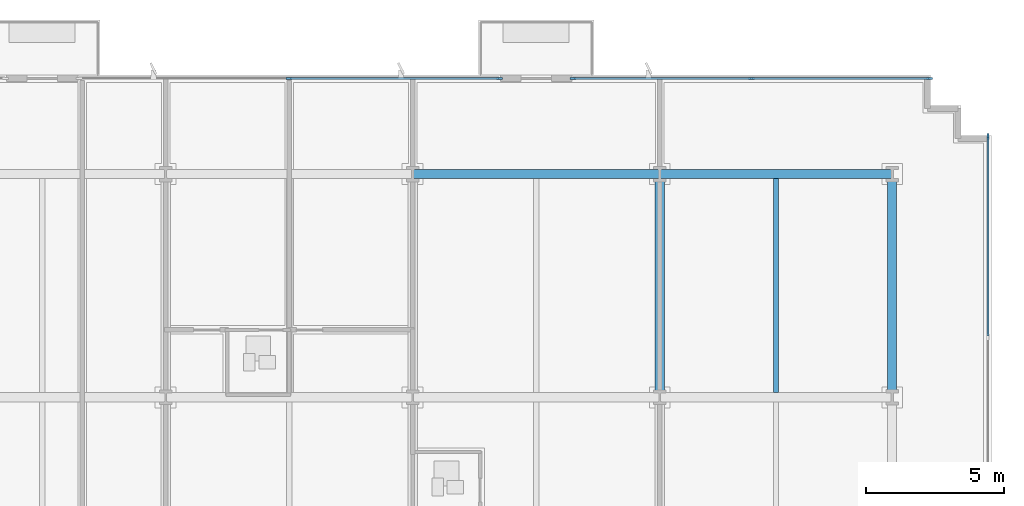
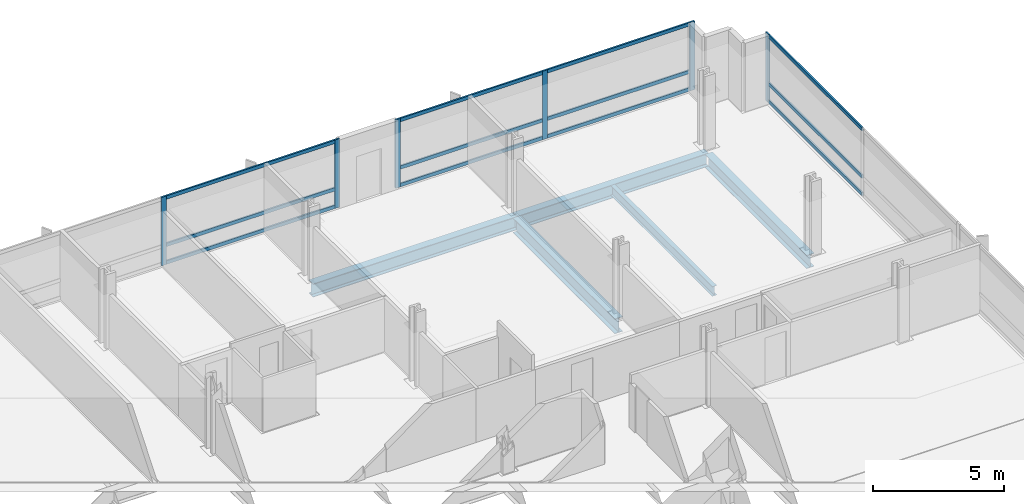
# One storey, part 6 of 15: 18 members, 5 beams, 3 elements without a shape of their own.
"""IFC4 building model written with IfcOpenShell, lengths in metres."""

from ifc_helpers import new_model, si_unit, direction, frame, origin, origin_2d, place, context, subcontext, project, spatial, rectangle, i_section, extrude, material, material_profile, profile_set, type_object, element, aggregate, save


model = new_model("IFC4")

# Units and contexts
model_context = context("Model", 3, precision=1e-05, world=origin(), true_north=direction((0.0, 1.0)))
body_context = subcontext(model_context, "Body", "Model", "MODEL_VIEW")
ifc_project = project(units=[si_unit("LENGTHUNIT", "METRE"), si_unit("AREAUNIT", "SQUARE_METRE"), si_unit("VOLUMEUNIT", "CUBIC_METRE"), si_unit("PLANEANGLEUNIT", "RADIAN"), si_unit("MASSUNIT", "GRAM", prefix="KILO")], contexts=[model_context])

# Site, building, storey
site_placement = place(None, origin())
site = spatial("IfcSite", under=ifc_project, at=site_placement, CompositionType="ELEMENT")
building_placement = place(site_placement, origin())
building = spatial("IfcBuilding", under=site, at=building_placement, Name="Solmavex Isthmus Hotel", CompositionType="ELEMENT")
storey_placement = place(building_placement, frame((0.0, 0.0, 33.300048828125)))
storey = spatial("IfcBuildingStorey", under=building, at=storey_placement, Name="L08", CompositionType="ELEMENT", Elevation=33.300048828125)

# Beams
ifc_material_1 = material(Name="Steel ASTM A992 Grade 50", Category="steel")
ifc_material_profile_1 = material_profile(ifc_material_1, i_section(OverallWidth=0.354736328125, OverallDepth=0.695556640625, WebThickness=0.015380859375, FlangeThickness=0.02490234375, FilletRadius=0.017822265625, at=origin_2d()), Name="W27X146")
ifc_profile_set_1 = profile_set([ifc_material_profile_1], Name="Steel ASTM A992 Grade 50")
beam_type_1 = type_object("IfcBeamType", Name="BM-BG-W27X146", PredefinedType="BEAM", material=ifc_profile_set_1)
beam_1_placement = place(storey_placement, frame((17.951904296875, 8.96533203125, -0.60791015625), z_axis=(0.0, 1.0, 0.0), x_axis=(-1.0, 0.0, 0.0)))
element("IfcBeam", 1, at=beam_1_placement, inside=storey, type_object=beam_type_1, Name="Floor Beam L08-VG45", PredefinedType="BEAM", context=body_context, shape_type="SweptSolid", body=[
    extrude(i_section(OverallWidth=0.354736328125, OverallDepth=0.695556640625, WebThickness=0.015380859375, FlangeThickness=0.02490234375, FilletRadius=0.017822265625, at=origin_2d()), origin(), (0.0, 0.0, 1.0), 7.771484375),
])
ifc_material_profile_2 = material_profile(ifc_material_1, i_section(OverallWidth=0.1904296875, OverallDepth=0.456787109375, WebThickness=0.009033203125, FlangeThickness=0.014404296875, FilletRadius=0.0126953125, at=origin_2d()), Name="W18X50")
ifc_profile_set_2 = profile_set([ifc_material_profile_2], Name="Steel ASTM A992 Grade 50")
beam_type_2 = type_object("IfcBeamType", Name="BM-BJ-W18X50", PredefinedType="JOIST", material=ifc_profile_set_2)
beam_2_placement = place(storey_placement, frame((22.176025390625, 8.96533203125, -0.488525390625), z_axis=(0.0, 1.0, 0.0), x_axis=(-1.0, 0.0, 0.0)))
element("IfcBeam", 2, at=beam_2_placement, inside=storey, type_object=beam_type_2, Name="Secondary Floor Joist L08-J22", PredefinedType="JOIST", context=body_context, shape_type="SweptSolid", body=[
    extrude(i_section(OverallWidth=0.1904296875, OverallDepth=0.456787109375, WebThickness=0.009033203125, FlangeThickness=0.014404296875, FilletRadius=0.0126953125, at=origin_2d()), origin(), (0.0, 0.0, 1.0), 7.771484375),
])
ifc_material_profile_3 = material_profile(ifc_material_1, i_section(OverallWidth=0.326416015625, OverallDepth=0.621826171875, WebThickness=0.015380859375, FlangeThickness=0.0244140625, FilletRadius=0.01513671875, at=origin_2d()), Name="W24X131")
ifc_profile_set_3 = profile_set([ifc_material_profile_3], Name="Steel ASTM A992 Grade 50")
beam_type_3 = type_object("IfcBeamType", Name="BM-SP-W24X131", PredefinedType="SPANDREL", material=ifc_profile_set_3)
beam_3_placement = place(storey_placement, frame((8.97607421875, 16.89990234375, -0.571044921875), z_axis=(1.0, 0.0, 0.0), x_axis=(0.0, 1.0, 0.0)))
element("IfcBeam", 3, at=beam_3_placement, inside=storey, type_object=beam_type_3, Name="Floor Girder L08-UG23", PredefinedType="SPANDREL", context=body_context, shape_type="SweptSolid", body=[
    extrude(i_section(OverallWidth=0.326416015625, OverallDepth=0.621826171875, WebThickness=0.015380859375, FlangeThickness=0.0244140625, FilletRadius=0.01513671875, at=origin_2d()), origin(), (0.0, 0.0, 1.0), 8.975830078125),
])
beam_4_placement = place(storey_placement, frame((17.951904296875, 16.89990234375, -0.571044921875), z_axis=(1.0, 0.0, 0.0), x_axis=(0.0, 1.0, 0.0)))
element("IfcBeam", 4, at=beam_4_placement, inside=storey, type_object=beam_type_3, Name="Floor Girder L08-UG24", PredefinedType="SPANDREL", context=body_context, shape_type="SweptSolid", body=[
    extrude(i_section(OverallWidth=0.326416015625, OverallDepth=0.621826171875, WebThickness=0.015380859375, FlangeThickness=0.0244140625, FilletRadius=0.01513671875, at=origin_2d()), origin(), (0.0, 0.0, 1.0), 8.447998046875),
])
beam_5_placement = place(storey_placement, frame((26.39990234375, 8.96533203125, -0.571044921875), z_axis=(0.0, 1.0, 0.0), x_axis=(-1.0, 0.0, 0.0)))
element("IfcBeam", 5, at=beam_5_placement, inside=storey, type_object=beam_type_3, Name="Floor Beam L08-VG48", PredefinedType="SPANDREL", context=body_context, shape_type="SweptSolid", body=[
    extrude(i_section(OverallWidth=0.326416015625, OverallDepth=0.621826171875, WebThickness=0.015380859375, FlangeThickness=0.0244140625, FilletRadius=0.01513671875, at=origin_2d()), origin(), (0.0, 0.0, 1.0), 7.771484375),
])

# Curtain wall, members
ifc_material_2 = material(Name="Aluminium alloy 6063-T6", Category="aluminium")
curtain_wall_type = type_object("IfcCurtainWallType", Name="CW-SYS-02", PredefinedType="NOTDEFINED", material=ifc_material_2)
curtain_wall_1_placement = place(storey_placement, origin())
curtain_wall_1 = element("IfcCurtainWall", 6, at=curtain_wall_1_placement, inside=storey, type_object=curtain_wall_type, Name="Stick Curtain Wall CWL-L08-N2", PredefinedType="NOTDEFINED")
ifc_material_profile_4 = material_profile(ifc_material_2, rectangle(XDim=0.074951171875, YDim=0.219970703125, at=origin_2d()), Name="CWM-75X220")
ifc_profile_set_4 = profile_set([ifc_material_profile_4], Name="Aluminium alloy 6063-T6")
member_type_1 = type_object("IfcMemberType", Name="CW-SYS-02-MUL", PredefinedType="MULLION", material=ifc_profile_set_4)
member_1_placement = place(storey_placement, frame((4.488037109375, 20.3798828125, 0.0), z_axis=(0.0, 0.0, 1.0), x_axis=(0.0, 1.0, 0.0)))
member_1 = element("IfcMember", 7, at=member_1_placement, type_object=member_type_1, Name="CW-02 mullion 2", PredefinedType="MULLION", context=body_context, shape_type="SweptSolid", body=[
    extrude(rectangle(XDim=0.074951171875, YDim=0.219970703125, at=origin_2d()), origin(), (0.0, 0.0, 1.0), 3.18994140625),
])
member_2_placement = place(storey_placement, frame((12.12646484375, 20.3798828125, 0.0), z_axis=(0.0, 0.0, 1.0), x_axis=(0.0, 1.0, 0.0)))
member_2 = element("IfcMember", 8, at=member_2_placement, type_object=member_type_1, Name="CW-02 mullion 3", PredefinedType="MULLION", context=body_context, shape_type="SweptSolid", body=[
    extrude(rectangle(XDim=0.074951171875, YDim=0.219970703125, at=origin_2d()), origin(), (0.0, 0.0, 1.0), 3.18994140625),
])

curtain_wall_2_placement = place(storey_placement, origin())
curtain_wall_2 = element("IfcCurtainWall", 9, at=curtain_wall_2_placement, inside=storey, type_object=curtain_wall_type, Name="Stick Curtain Wall CWL-L08-N3", PredefinedType="NOTDEFINED")
member_3_placement = place(storey_placement, frame((14.801513671875, 20.3798828125, 0.0), z_axis=(0.0, 0.0, 1.0), x_axis=(0.0, 1.0, 0.0)))
member_3 = element("IfcMember", 10, at=member_3_placement, type_object=member_type_1, Name="CW-02 mullion 1", PredefinedType="MULLION", context=body_context, shape_type="SweptSolid", body=[
    extrude(rectangle(XDim=0.074951171875, YDim=0.219970703125, at=origin_2d()), origin(), (0.0, 0.0, 1.0), 3.18994140625),
])
member_4_placement = place(storey_placement, frame((21.281982421875, 20.3798828125, 0.0), z_axis=(0.0, 0.0, 1.0), x_axis=(0.0, 1.0, 0.0)))
member_4 = element("IfcMember", 11, at=member_4_placement, type_object=member_type_1, Name="CW-02 mullion 2", PredefinedType="MULLION", context=body_context, shape_type="SweptSolid", body=[
    extrude(rectangle(XDim=0.074951171875, YDim=0.219970703125, at=origin_2d()), origin(), (0.0, 0.0, 1.0), 3.18994140625),
])
member_5_placement = place(storey_placement, frame((27.762451171875, 20.3798828125, 0.0), z_axis=(0.0, 0.0, 1.0), x_axis=(0.0, 1.0, 0.0)))
member_5 = element("IfcMember", 12, at=member_5_placement, type_object=member_type_1, Name="CW-02 mullion 3", PredefinedType="MULLION", context=body_context, shape_type="SweptSolid", body=[
    extrude(rectangle(XDim=0.074951171875, YDim=0.219970703125, at=origin_2d()), origin(), (0.0, 0.0, 1.0), 3.18994140625),
])

# Curtain wall, member
curtain_wall_3_placement = place(storey_placement, origin())
curtain_wall_3 = element("IfcCurtainWall", 13, at=curtain_wall_3_placement, inside=storey, type_object=curtain_wall_type, Name="Stick Curtain Wall CWL-L08-E1", PredefinedType="NOTDEFINED")
member_6_placement = place(storey_placement, frame((29.8798828125, 18.262451171875, 0.0), z_axis=(0.0, 0.0, 1.0), x_axis=(-1.0, 0.0, 0.0)))
member_6 = element("IfcMember", 14, at=member_6_placement, type_object=member_type_1, Name="CW-02 mullion 6", PredefinedType="MULLION", context=body_context, shape_type="SweptSolid", body=[
    extrude(rectangle(XDim=0.074951171875, YDim=0.219970703125, at=origin_2d()), origin(), (0.0, 0.0, 1.0), 3.18994140625),
])

# Member
ifc_material_profile_5 = material_profile(ifc_material_2, rectangle(XDim=0.074951171875, YDim=0.159912109375, at=origin_2d()), Name="CWT-75X160")
ifc_profile_set_5 = profile_set([ifc_material_profile_5], Name="Aluminium alloy 6063-T6")
member_type_2 = type_object("IfcMemberType", Name="CW-SYS-02-TRN", PredefinedType="USERDEFINED", material=ifc_profile_set_5)
member_7_placement = place(storey_placement, frame((4.525390625, 20.3798828125, 0.079833984375), z_axis=(1.0, 0.0, 0.0), x_axis=(0.0, 1.0, 0.0)))
member_7 = element("IfcMember", 15, at=member_7_placement, type_object=member_type_2, Name="CW-02 transom 2.1", ObjectType="TRANSOM", PredefinedType="USERDEFINED", context=body_context, shape_type="SweptSolid", body=[
    extrude(rectangle(XDim=0.074951171875, YDim=0.159912109375, at=origin_2d()), origin(), (0.0, 0.0, 1.0), 7.563720703125),
])

member_8_placement = place(storey_placement, frame((4.525390625, 20.3798828125, 0.89990234375), z_axis=(1.0, 0.0, 0.0), x_axis=(0.0, 1.0, 0.0)))
member_8 = element("IfcMember", 16, at=member_8_placement, type_object=member_type_2, Name="CW-02 transom 2.2", ObjectType="TRANSOM", PredefinedType="USERDEFINED", context=body_context, shape_type="SweptSolid", body=[
    extrude(rectangle(XDim=0.074951171875, YDim=0.159912109375, at=origin_2d()), origin(), (0.0, 0.0, 1.0), 7.563720703125),
])

member_9_placement = place(storey_placement, frame((4.525390625, 20.3798828125, 3.10986328125), z_axis=(1.0, 0.0, 0.0), x_axis=(0.0, 1.0, 0.0)))
member_9 = element("IfcMember", 17, at=member_9_placement, type_object=member_type_2, Name="CW-02 transom 2.3", ObjectType="TRANSOM", PredefinedType="USERDEFINED", context=body_context, shape_type="SweptSolid", body=[
    extrude(rectangle(XDim=0.074951171875, YDim=0.159912109375, at=origin_2d()), origin(), (0.0, 0.0, 1.0), 7.563720703125),
])

aggregate(curtain_wall_1, [member_1, member_2, member_7, member_8, member_9])

member_10_placement = place(storey_placement, frame((14.839111328125, 20.3798828125, 0.079833984375), z_axis=(1.0, 0.0, 0.0), x_axis=(0.0, 1.0, 0.0)))
member_10 = element("IfcMember", 18, at=member_10_placement, type_object=member_type_2, Name="CW-02 transom 1.1", ObjectType="TRANSOM", PredefinedType="USERDEFINED", context=body_context, shape_type="SweptSolid", body=[
    extrude(rectangle(XDim=0.074951171875, YDim=0.159912109375, at=origin_2d()), origin(), (0.0, 0.0, 1.0), 6.4052734375),
])

member_11_placement = place(storey_placement, frame((14.839111328125, 20.3798828125, 0.89990234375), z_axis=(1.0, 0.0, 0.0), x_axis=(0.0, 1.0, 0.0)))
member_11 = element("IfcMember", 19, at=member_11_placement, type_object=member_type_2, Name="CW-02 transom 1.2", ObjectType="TRANSOM", PredefinedType="USERDEFINED", context=body_context, shape_type="SweptSolid", body=[
    extrude(rectangle(XDim=0.074951171875, YDim=0.159912109375, at=origin_2d()), origin(), (0.0, 0.0, 1.0), 6.4052734375),
])

member_12_placement = place(storey_placement, frame((14.839111328125, 20.3798828125, 3.10986328125), z_axis=(1.0, 0.0, 0.0), x_axis=(0.0, 1.0, 0.0)))
member_12 = element("IfcMember", 20, at=member_12_placement, type_object=member_type_2, Name="CW-02 transom 1.3", ObjectType="TRANSOM", PredefinedType="USERDEFINED", context=body_context, shape_type="SweptSolid", body=[
    extrude(rectangle(XDim=0.074951171875, YDim=0.159912109375, at=origin_2d()), origin(), (0.0, 0.0, 1.0), 6.4052734375),
])

member_13_placement = place(storey_placement, frame((21.319580078125, 20.3798828125, 0.079833984375), z_axis=(1.0, 0.0, 0.0), x_axis=(0.0, 1.0, 0.0)))
member_13 = element("IfcMember", 21, at=member_13_placement, type_object=member_type_2, Name="CW-02 transom 2.1", ObjectType="TRANSOM", PredefinedType="USERDEFINED", context=body_context, shape_type="SweptSolid", body=[
    extrude(rectangle(XDim=0.074951171875, YDim=0.159912109375, at=origin_2d()), origin(), (0.0, 0.0, 1.0), 6.405517578125),
])

member_14_placement = place(storey_placement, frame((21.319580078125, 20.3798828125, 0.89990234375), z_axis=(1.0, 0.0, 0.0), x_axis=(0.0, 1.0, 0.0)))
member_14 = element("IfcMember", 22, at=member_14_placement, type_object=member_type_2, Name="CW-02 transom 2.2", ObjectType="TRANSOM", PredefinedType="USERDEFINED", context=body_context, shape_type="SweptSolid", body=[
    extrude(rectangle(XDim=0.074951171875, YDim=0.159912109375, at=origin_2d()), origin(), (0.0, 0.0, 1.0), 6.405517578125),
])

member_15_placement = place(storey_placement, frame((21.319580078125, 20.3798828125, 3.10986328125), z_axis=(1.0, 0.0, 0.0), x_axis=(0.0, 1.0, 0.0)))
member_15 = element("IfcMember", 23, at=member_15_placement, type_object=member_type_2, Name="CW-02 transom 2.3", ObjectType="TRANSOM", PredefinedType="USERDEFINED", context=body_context, shape_type="SweptSolid", body=[
    extrude(rectangle(XDim=0.074951171875, YDim=0.159912109375, at=origin_2d()), origin(), (0.0, 0.0, 1.0), 6.405517578125),
])

aggregate(curtain_wall_2, [member_3, member_4, member_5, member_10, member_11, member_12, member_13, member_14, member_15])

member_16_placement = place(storey_placement, frame((29.8798828125, 11.017578125, 0.079833984375), z_axis=(0.0, 1.0, 0.0), x_axis=(-1.0, 0.0, 0.0)))
member_16 = element("IfcMember", 24, at=member_16_placement, type_object=member_type_2, Name="CW-02 transom 5.1", ObjectType="TRANSOM", PredefinedType="USERDEFINED", context=body_context, shape_type="SweptSolid", body=[
    extrude(rectangle(XDim=0.074951171875, YDim=0.159912109375, at=origin_2d()), origin(), (0.0, 0.0, 1.0), 7.20751953125),
])

member_17_placement = place(storey_placement, frame((29.8798828125, 11.017578125, 0.89990234375), z_axis=(0.0, 1.0, 0.0), x_axis=(-1.0, 0.0, 0.0)))
member_17 = element("IfcMember", 25, at=member_17_placement, type_object=member_type_2, Name="CW-02 transom 5.2", ObjectType="TRANSOM", PredefinedType="USERDEFINED", context=body_context, shape_type="SweptSolid", body=[
    extrude(rectangle(XDim=0.074951171875, YDim=0.159912109375, at=origin_2d()), origin(), (0.0, 0.0, 1.0), 7.20751953125),
])

member_18_placement = place(storey_placement, frame((29.8798828125, 11.017578125, 3.10986328125), z_axis=(0.0, 1.0, 0.0), x_axis=(-1.0, 0.0, 0.0)))
member_18 = element("IfcMember", 26, at=member_18_placement, type_object=member_type_2, Name="CW-02 transom 5.3", ObjectType="TRANSOM", PredefinedType="USERDEFINED", context=body_context, shape_type="SweptSolid", body=[
    extrude(rectangle(XDim=0.074951171875, YDim=0.159912109375, at=origin_2d()), origin(), (0.0, 0.0, 1.0), 7.20751953125),
])

aggregate(curtain_wall_3, [member_6, member_16, member_17, member_18])

save(model, "model.ifc")
